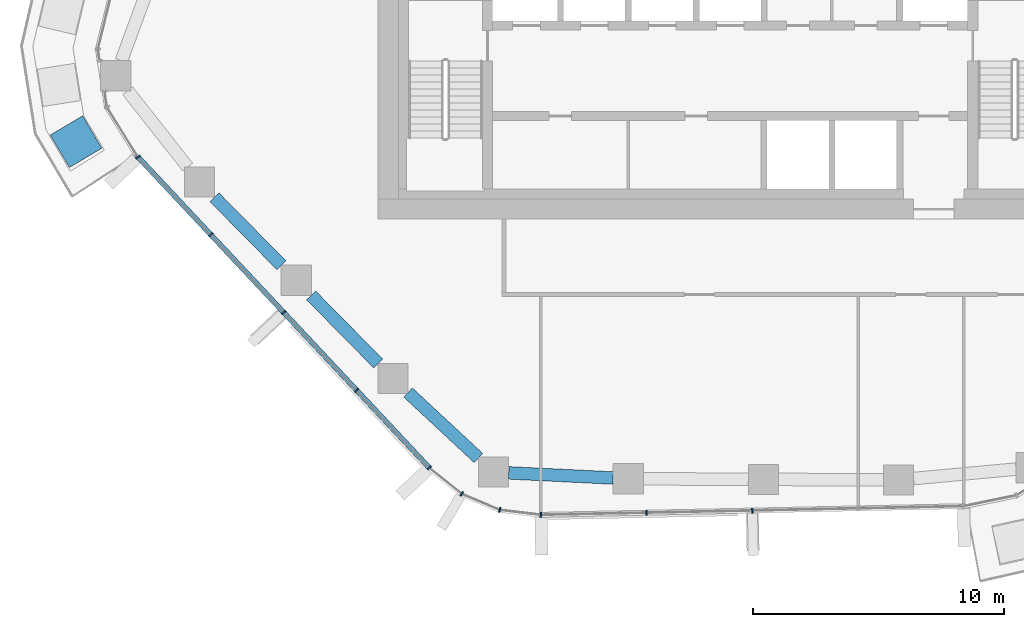
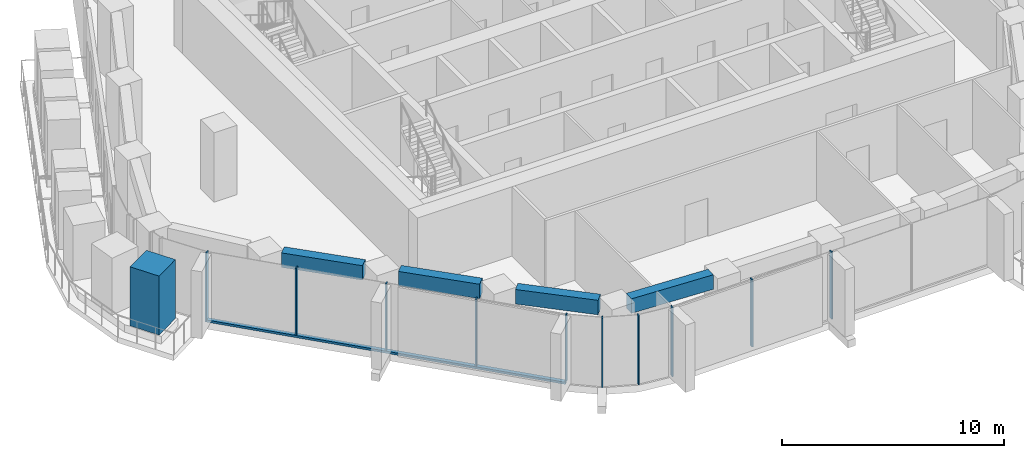
# One storey, part 2 of 18: 12 members, 4 beams, 4 elements without a shape of their own.
"""IFC4 building model written with IfcOpenShell, lengths in metres."""

import ifcopenshell
import ifcopenshell.guid

model = None  # the IFC model being written
_history = None  # IfcOwnerHistory: only IFC2X3 demands one
_inside = {}  # id of a spatial element -> (the spatial element, [elements in it])
_under = {}  # id of a project, library or spatial element -> (it, [spatial elements below it])
_declared = {}  # id of a project -> (the project, [libraries it declares])
_typed = {}  # id of a type object -> (the type object, [elements of that type])
_made_of = {}  # id of a material, layer set ... -> (it, [elements and type objects made of it])


def new_model(schema):
    """Start an empty IFC model of exactly this schema.

    Asked for "IFC4X3", IfcOpenShell would pick the latest addendum, in which some entities
    have other attributes; the version numbers below select the first issue.
    IFC2X3 requires an IfcOwnerHistory on every rooted entity: one is made here for all.
    """
    global model, _history
    if schema == "IFC4X3":
        model = ifcopenshell.file(schema_version=(4, 3, 0, 0))
    else:
        model = ifcopenshell.file(schema=schema)
    _inside.clear()
    _under.clear()
    _declared.clear()
    _typed.clear()
    _made_of.clear()
    _history = None
    if model.schema == "IFC2X3":
        org = make("IfcOrganization", Name="unknown")
        user = make(
            "IfcPersonAndOrganization",
            ThePerson=make("IfcPerson", FamilyName="unknown"),
            TheOrganization=org,
        )
        app = make(
            "IfcApplication",
            ApplicationDeveloper=org,
            Version="unknown",
            ApplicationFullName="unknown",
            ApplicationIdentifier="unknown",
        )
        _history = make(
            "IfcOwnerHistory",
            OwningUser=user,
            OwningApplication=app,
            ChangeAction="ADDED",
            CreationDate=0,
        )
    return model


def make(cls, **values):
    """One entity of the class cls with the attributes given. An attribute that is None is left unset."""
    return model.create_entity(
        cls, **{name: value for name, value in values.items() if value is not None}
    )


def rooted(cls, **values):
    """An entity with a GlobalId (a new one), such as an element, a storey or a relation."""
    return make(cls, GlobalId=ifcopenshell.guid.new(), OwnerHistory=_history, **values)


def si_unit(unit_type, name, prefix=None):
    """IfcSIUnit, for example si_unit("LENGTHUNIT", "METRE", prefix="MILLI")."""
    return make("IfcSIUnit", UnitType=unit_type, Prefix=prefix, Name=name)


def assignment(units):
    """IfcUnitAssignment: the units of a project."""
    return None if units is None else make("IfcUnitAssignment", Units=units)


def point(xyz):
    """IfcCartesianPoint."""
    return None if xyz is None else make("IfcCartesianPoint", Coordinates=xyz)


def direction(xyz):
    """IfcDirection."""
    return None if xyz is None else make("IfcDirection", DirectionRatios=xyz)


def frame(location, z_axis=None, x_axis=None):
    """IfcAxis2Placement3D, a coordinate frame: its origin and axes. An axis left out is left unset."""
    return make(
        "IfcAxis2Placement3D",
        Location=point(location),
        Axis=direction(z_axis),
        RefDirection=direction(x_axis),
    )


def frame_2d(location, x_axis=None):
    """IfcAxis2Placement2D, a coordinate frame in the plane: its origin and x axis."""
    return make(
        "IfcAxis2Placement2D", Location=point(location), RefDirection=direction(x_axis)
    )


def origin():
    """The frame at (0, 0, 0) with its axes left unset."""
    return frame((0.0, 0.0, 0.0))


def origin_2d():
    """The frame at (0, 0) in the plane with its x axis left unset."""
    return frame_2d((0.0, 0.0))


def place(relative_to, where):
    """IfcLocalPlacement: puts the frame where relative to a parent placement (None: the world)."""
    return make(
        "IfcLocalPlacement", PlacementRelTo=relative_to, RelativePlacement=where
    )


def context(
    kind, dimensions, precision=None, world=None, true_north=None, identifier=None
):
    """IfcGeometricRepresentationContext, for example the 3D "Model" context."""
    return make(
        "IfcGeometricRepresentationContext",
        ContextIdentifier=identifier,
        ContextType=kind,
        CoordinateSpaceDimension=dimensions,
        Precision=precision,
        WorldCoordinateSystem=world,
        TrueNorth=true_north,
    )


def subcontext(parent, identifier, kind, view, scale=None):
    """IfcGeometricRepresentationSubContext, for example "Body" below "Model"."""
    return make(
        "IfcGeometricRepresentationSubContext",
        ContextIdentifier=identifier,
        ContextType=kind,
        ParentContext=parent,
        TargetScale=scale,
        TargetView=view,
    )


def project(units=None, contexts=None):
    """IfcProject with its units and contexts."""
    return rooted(
        "IfcProject",
        Name="project",
        RepresentationContexts=contexts,
        UnitsInContext=assignment(units),
    )


def spatial(cls, under=None, at=None, **own):
    """A site, building, storey or space (cls), placed at a placement, below another one or the project."""
    s = rooted(cls, ObjectPlacement=at, **own)
    if under is not None:
        _under.setdefault(under.id(), (under, []))[1].append(s)
    return s


def profile(cls, at=None, kind="AREA", **sizes):
    """A parametric profile (cls). Its sizes go by their IFC names, for example OverallWidth=200.0."""
    return make(cls, ProfileType=kind, Position=at, **sizes)


def rectangle(**sizes):
    """IfcRectangleProfileDef."""
    return profile("IfcRectangleProfileDef", **sizes)


def extrude(swept, where, along, depth):
    """IfcExtrudedAreaSolid: the profile swept, set in the frame where, extruded along a direction by depth."""
    return make(
        "IfcExtrudedAreaSolid",
        SweptArea=swept,
        Position=where,
        ExtrudedDirection=direction(along),
        Depth=depth,
    )


def shape(context_of_items, identifier, shape_type, items):
    """IfcShapeRepresentation: the items that make up one representation, for example the "Body"."""
    return make(
        "IfcShapeRepresentation",
        ContextOfItems=context_of_items,
        RepresentationIdentifier=identifier,
        RepresentationType=shape_type,
        Items=items,
    )


def material(Name=None, Category=None):
    """IfcMaterial."""
    return make("IfcMaterial", Name=Name, Category=Category)


def layer(
    of_material, thickness, ventilated=None, Name=None, Category=None, Priority=None
):
    """IfcMaterialLayer: one layer of a wall or slab, of a material (None: an air gap)."""
    return make(
        "IfcMaterialLayer",
        Material=of_material,
        LayerThickness=thickness,
        IsVentilated=ventilated,
        Name=Name,
        Category=Category,
        Priority=Priority,
    )


def layer_set(layers, Name=None):
    """IfcMaterialLayerSet."""
    return make("IfcMaterialLayerSet", MaterialLayers=layers, LayerSetName=Name)


def material_profile(
    of_material, cross_section, Name=None, Category=None, Priority=None
):
    """IfcMaterialProfile: a cross section and its material."""
    return make(
        "IfcMaterialProfile",
        Name=Name,
        Material=of_material,
        Profile=cross_section,
        Priority=Priority,
        Category=Category,
    )


def profile_set(profiles, Name=None, composite=None):
    """IfcMaterialProfileSet."""
    return make(
        "IfcMaterialProfileSet",
        Name=Name,
        MaterialProfiles=profiles,
        CompositeProfile=composite,
    )


def made_of(thing, what):
    """Note that an element or type object is made of a material, layer set ...; save() writes the relation."""
    if what is not None:
        _made_of.setdefault(what.id(), (what, []))[1].append(thing)
    return thing


def type_object(cls, material=None, **own):
    """A type object (cls), such as IfcWallType, which elements share."""
    return made_of(rooted(cls, **own), material)


def element(
    cls,
    number,
    at=None,
    inside=None,
    cuts=None,
    type_object=None,
    material=None,
    context=None,
    identifier="Body",
    shape_type=None,
    held_by="IfcProductDefinitionShape",
    body=None,
    shapes=None,
    **own,
):
    """One element of the class cls, such as IfcWall. Its Tag is "e" and its number.

    at: its placement. inside: the storey or other place that contains it. cuts: it is an
    opening in that element (IfcRelVoidsElement). A single representation is given by context,
    identifier, shape_type and body (its items); several are given by shapes. held_by: the class
    of the entity that holds the representations. save() writes the other relations.
    """
    e = rooted(cls, Tag="e%d" % number, ObjectPlacement=at, **own)
    if body is not None:
        shapes = [shape(context, identifier, shape_type, body)]
    if shapes is not None:
        e.Representation = make(held_by, Representations=shapes)
    if inside is not None:
        _inside.setdefault(inside.id(), (inside, []))[1].append(e)
    if cuts is not None:
        rooted(
            "IfcRelVoidsElement", RelatingBuildingElement=cuts, RelatedOpeningElement=e
        )
    if type_object is not None:
        _typed.setdefault(type_object.id(), (type_object, []))[1].append(e)
    return made_of(e, material)


def aggregate(whole, parts):
    """IfcRelAggregates: a whole, such as a stair, and the parts it consists of."""
    return rooted("IfcRelAggregates", RelatingObject=whole, RelatedObjects=parts)


def save(model, path):
    """Write the relations noted so far, then the file.

    IfcRelAggregates (storeys below a building ...), IfcRelContainedInSpatialStructure (elements
    in a storey), IfcRelDefinesByType, IfcRelAssociatesMaterial and IfcRelDeclares: one each for
    every whole, place, type object, material and project.
    """
    for whole, parts in _under.values():
        aggregate(whole, parts)
    for where, things in _inside.values():
        rooted(
            "IfcRelContainedInSpatialStructure",
            RelatedElements=things,
            RelatingStructure=where,
        )
    for kind, things in _typed.values():
        rooted("IfcRelDefinesByType", RelatedObjects=things, RelatingType=kind)
    for what, things in _made_of.values():
        rooted("IfcRelAssociatesMaterial", RelatedObjects=things, RelatingMaterial=what)
    for by, libraries in _declared.values():
        rooted("IfcRelDeclares", RelatingContext=by, RelatedDefinitions=libraries)
    model.write(path)


model = new_model("IFC4")

# Units and contexts
model_context = context("Model", 3, precision=1e-05, world=origin(), true_north=direction((0.0, 1.0)))
body_context = subcontext(model_context, "Body", "Model", "MODEL_VIEW")
ifc_project = project(units=[si_unit("LENGTHUNIT", "METRE"), si_unit("AREAUNIT", "SQUARE_METRE"), si_unit("VOLUMEUNIT", "CUBIC_METRE"), si_unit("PLANEANGLEUNIT", "RADIAN"), si_unit("MASSUNIT", "GRAM", prefix="KILO")], contexts=[model_context])

# Site, building, storey
site_placement = place(None, origin())
site = spatial("IfcSite", under=ifc_project, at=site_placement, CompositionType="ELEMENT")
building_placement = place(site_placement, origin())
building = spatial("IfcBuilding", under=site, at=building_placement, Name="Dongbaek Canopy Tower", CompositionType="ELEMENT")
storey_placement = place(building_placement, frame((0.0, 0.0, 162.800048828125)))
storey = spatial("IfcBuildingStorey", under=building, at=storey_placement, Name="L35", CompositionType="ELEMENT", Elevation=162.800048828125)

# Curtain wall, member
ifc_material_1 = material(Name="Aluminium 6063-T6 pale anodised", Category="aluminium")
ifc_layer = layer(ifc_material_1, 0.199951171875)
ifc_layer_set = layer_set([ifc_layer], Name="CW-1 unitised tower curtain wall")
curtain_wall_type = type_object("IfcCurtainWallType", Name="CW-1 unitised tower curtain wall", PredefinedType="NOTDEFINED", material=ifc_layer_set)
curtain_wall_1_placement = place(storey_placement, origin())
curtain_wall_1 = element("IfcCurtainWall", 1, at=curtain_wall_1_placement, inside=storey, type_object=curtain_wall_type, Name="CW-1 curtain wall K3.1b", PredefinedType="NOTDEFINED")
ifc_material_2 = material(Name="Aluminium 6063-T6 pale anodised", Category="aluminium")
ifc_material_profile_1 = material_profile(ifc_material_2, rectangle(XDim=0.199951171875, YDim=0.06005859375, at=origin_2d()), Name="CW-1 mullion 60 x 200")
ifc_profile_set_1 = profile_set([ifc_material_profile_1], Name="Aluminium 6063-T6 pale anodised")
member_type_1 = type_object("IfcMemberType", Name="CW-1 mullion 60 x 200", PredefinedType="MULLION", material=ifc_profile_set_1)
member_1_placement = place(storey_placement, frame((-23.55322265625, -8.528076171875, 0.0), z_axis=(0.0, 0.0, 1.0), x_axis=(-0.850370444483, -0.526184480148, 0.0)))
member_1 = element("IfcMember", 2, at=member_1_placement, type_object=member_type_1, Name="CW-1 mullion K3.1b.3", PredefinedType="MULLION", context=body_context, shape_type="SweptSolid", body=[
    extrude(rectangle(XDim=0.199951171875, YDim=0.06005859375, at=origin_2d()), origin(), (0.0, 0.0, 1.0), 3.820068359375),
])
aggregate(curtain_wall_1, [member_1])

# Curtain wall, members
curtain_wall_2_placement = place(storey_placement, origin())
curtain_wall_2 = element("IfcCurtainWall", 3, at=curtain_wall_2_placement, inside=storey, type_object=curtain_wall_type, Name="CW-1 curtain wall F3.1", PredefinedType="NOTDEFINED")
member_2_placement = place(storey_placement, frame((-20.65966796875, -11.615478515625, 0.119873046875), z_axis=(0.0, 0.0, 1.0), x_axis=(-0.729648859062, -0.683822010811, 0.0)))
member_2 = element("IfcMember", 4, at=member_2_placement, type_object=member_type_1, Name="CW-1 mullion F3.1.2", PredefinedType="MULLION", context=body_context, shape_type="SweptSolid", body=[
    extrude(rectangle(XDim=0.199951171875, YDim=0.06005859375, at=origin_2d()), origin(), (0.0, 0.0, 1.0), 3.7001953125),
])
member_3_placement = place(storey_placement, frame((-17.759521484375, -14.7099609375, 0.119873046875), z_axis=(0.0, 0.0, 1.0), x_axis=(-0.729648859062, -0.683822010811, 0.0)))
member_3 = element("IfcMember", 5, at=member_3_placement, type_object=member_type_1, Name="CW-1 mullion F3.1.3", PredefinedType="MULLION", context=body_context, shape_type="SweptSolid", body=[
    extrude(rectangle(XDim=0.199951171875, YDim=0.06005859375, at=origin_2d()), origin(), (0.0, 0.0, 1.0), 3.7001953125),
])
member_4_placement = place(storey_placement, frame((-14.859375, -17.8046875, 0.119873046875), z_axis=(0.0, 0.0, 1.0), x_axis=(-0.729648859062, -0.683822010811, 0.0)))
member_4 = element("IfcMember", 6, at=member_4_placement, type_object=member_type_1, Name="CW-1 mullion F3.1.4", PredefinedType="MULLION", context=body_context, shape_type="SweptSolid", body=[
    extrude(rectangle(XDim=0.199951171875, YDim=0.06005859375, at=origin_2d()), origin(), (0.0, 0.0, 1.0), 3.7001953125),
])
member_5_placement = place(storey_placement, frame((-11.9638671875, -20.89404296875, 0.119873046875), z_axis=(0.0, 0.0, 1.0), x_axis=(-0.729648859062, -0.683822010811, 0.0)))
member_5 = element("IfcMember", 7, at=member_5_placement, type_object=member_type_1, Name="CW-1 mullion F3.1.5", PredefinedType="MULLION", context=body_context, shape_type="SweptSolid", body=[
    extrude(rectangle(XDim=0.199951171875, YDim=0.06005859375, at=origin_2d()), origin(), (0.0, 0.0, 1.0), 3.7001953125),
])

curtain_wall_3_placement = place(storey_placement, origin())
curtain_wall_3 = element("IfcCurtainWall", 8, at=curtain_wall_3_placement, inside=storey, type_object=curtain_wall_type, Name="CW-1 curtain wall K4.1", PredefinedType="NOTDEFINED")
member_6_placement = place(storey_placement, frame((-10.6787109375, -21.92919921875, 0.0), z_axis=(0.0, 0.0, 1.0), x_axis=(-0.512734516055, -0.858547212473, 0.0)))
member_6 = element("IfcMember", 9, at=member_6_placement, type_object=member_type_1, Name="CW-1 mullion K4.1.2", PredefinedType="MULLION", context=body_context, shape_type="SweptSolid", body=[
    extrude(rectangle(XDim=0.199951171875, YDim=0.06005859375, at=origin_2d()), origin(), (0.0, 0.0, 1.0), 3.820068359375),
])
member_7_placement = place(storey_placement, frame((-9.16455078125, -22.567138671875, 0.0), z_axis=(0.0, 0.0, 1.0), x_axis=(-0.256041855885, -0.96666569611, 0.0)))
member_7 = element("IfcMember", 10, at=member_7_placement, type_object=member_type_1, Name="CW-1 mullion K4.1.3", PredefinedType="MULLION", context=body_context, shape_type="SweptSolid", body=[
    extrude(rectangle(XDim=0.199951171875, YDim=0.06005859375, at=origin_2d()), origin(), (0.0, 0.0, 1.0), 3.820068359375),
])
member_8_placement = place(storey_placement, frame((-7.526123046875, -22.763427734375, 0.0), z_axis=(0.0, 0.0, 1.0), x_axis=(-0.11892247734, -0.992903542336, 0.0)))
member_8 = element("IfcMember", 11, at=member_8_placement, type_object=member_type_1, Name="CW-1 mullion K4.1.4", PredefinedType="MULLION", context=body_context, shape_type="SweptSolid", body=[
    extrude(rectangle(XDim=0.199951171875, YDim=0.06005859375, at=origin_2d()), origin(), (0.0, 0.0, 1.0), 3.820068359375),
])
aggregate(curtain_wall_3, [member_6, member_7, member_8])

curtain_wall_4_placement = place(storey_placement, origin())
curtain_wall_4 = element("IfcCurtainWall", 12, at=curtain_wall_4_placement, inside=storey, type_object=curtain_wall_type, Name="CW-1 curtain wall F4.1", PredefinedType="NOTDEFINED")
member_9_placement = place(storey_placement, frame((-3.326416015625, -22.67724609375, 0.119873046875), z_axis=(0.0, 0.0, 1.0), x_axis=(0.020514717954, -0.999789551029, 0.0)))
member_9 = element("IfcMember", 13, at=member_9_placement, type_object=member_type_1, Name="CW-1 mullion F4.1.2", PredefinedType="MULLION", context=body_context, shape_type="SweptSolid", body=[
    extrude(rectangle(XDim=0.199951171875, YDim=0.06005859375, at=origin_2d()), origin(), (0.0, 0.0, 1.0), 3.7001953125),
])
member_10_placement = place(storey_placement, frame((0.880126953125, -22.5908203125, 0.119873046875), z_axis=(0.0, 0.0, 1.0), x_axis=(0.020514717954, -0.999789551029, 0.0)))
member_10 = element("IfcMember", 14, at=member_10_placement, type_object=member_type_1, Name="CW-1 mullion F4.1.3", PredefinedType="MULLION", context=body_context, shape_type="SweptSolid", body=[
    extrude(rectangle(XDim=0.199951171875, YDim=0.06005859375, at=origin_2d()), origin(), (0.0, 0.0, 1.0), 3.7001953125),
])
aggregate(curtain_wall_4, [member_9, member_10])

# Member
ifc_material_3 = material(Name="Aluminium 6063-T6 pale anodised", Category="aluminium")
ifc_material_profile_2 = material_profile(ifc_material_3, rectangle(XDim=0.199951171875, YDim=0.1201171875, at=origin_2d()), Name="CW-1 transom 120 x 200")
ifc_profile_set_2 = profile_set([ifc_material_profile_2], Name="Aluminium 6063-T6 pale anodised")
member_type_2 = type_object("IfcMemberType", Name="CW-1 transom 120 x 200", PredefinedType="USERDEFINED", material=ifc_profile_set_2)
member_11_placement = place(storey_placement, frame((-23.55322265625, -8.528076171875, 0.06005859375), z_axis=(0.683823720614, -0.729647256642, 0.0), x_axis=(0.729647256642, 0.683823720614, 0.0)))
member_11 = element("IfcMember", 15, at=member_11_placement, type_object=member_type_2, Name="CW-1 transom F3.1.1", ObjectType="TRANSOM", PredefinedType="USERDEFINED", context=body_context, shape_type="SweptSolid", body=[
    extrude(rectangle(XDim=0.199951171875, YDim=0.1201171875, at=origin_2d()), origin(), (0.0, 0.0, 1.0), 16.94775390625),
])

aggregate(curtain_wall_2, [member_2, member_3, member_4, member_5, member_11])

# Beams
ifc_material_4 = material(Name="Concrete C70", Category="concrete")
ifc_material_profile_3 = material_profile(ifc_material_4, rectangle(XDim=0.5, YDim=0.800048828125, at=origin_2d()), Name="RC EDGE BEAM 500x800 C70")
ifc_profile_set_3 = profile_set([ifc_material_profile_3], Name="Concrete C70")
beam_type = type_object("IfcBeamType", Name="RC EDGE BEAM 500x800 C70", PredefinedType="BEAM", material=ifc_profile_set_3)
beam_1_placement = place(storey_placement, frame((-4.655029296875, -21.29443359375, 3.419921875), z_axis=(-0.998797460552, 0.04902685789, 0.0), x_axis=(-0.04902685789, -0.998797460552, 0.0)))
element("IfcBeam", 16, at=beam_1_placement, inside=storey, type_object=beam_type, Name="EDGEBEAM:L35:03", PredefinedType="BEAM", context=body_context, shape_type="SweptSolid", body=[
    extrude(rectangle(XDim=0.5, YDim=0.800048828125, at=origin_2d()), origin(), (0.0, 0.0, 1.0), 4.157958984375),
])
beam_2_placement = place(storey_placement, frame((-10.008056640625, -20.5029296875, 3.419921875), z_axis=(-0.732259249265, 0.681025984722, 0.0), x_axis=(-0.681025984722, -0.732259249265, 0.0)))
element("IfcBeam", 17, at=beam_2_placement, inside=storey, type_object=beam_type, Name="EDGEBEAM:L35:04", PredefinedType="BEAM", context=body_context, shape_type="SweptSolid", body=[
    extrude(rectangle(XDim=0.5, YDim=0.800048828125, at=origin_2d()), origin(), (0.0, 0.0, 1.0), 3.826416015625),
])
beam_3_placement = place(storey_placement, frame((-14.0009765625, -16.739013671875, 3.419921875), z_axis=(-0.701688575516, 0.71248378437, 0.0), x_axis=(-0.71248378437, -0.701688575516, 0.0)))
element("IfcBeam", 18, at=beam_3_placement, inside=storey, type_object=beam_type, Name="EDGEBEAM:L35:05", PredefinedType="BEAM", context=body_context, shape_type="SweptSolid", body=[
    extrude(rectangle(XDim=0.5, YDim=0.800048828125, at=origin_2d()), origin(), (0.0, 0.0, 1.0), 3.79931640625),
])
beam_4_placement = place(storey_placement, frame((-17.848876953125, -12.83203125, 3.419921875), z_axis=(-0.701721192392, 0.712451660218, 0.0), x_axis=(-0.712451660218, -0.701721192392, 0.0)))
element("IfcBeam", 19, at=beam_4_placement, inside=storey, type_object=beam_type, Name="EDGEBEAM:L35:06", PredefinedType="BEAM", context=body_context, shape_type="SweptSolid", body=[
    extrude(rectangle(XDim=0.5, YDim=0.800048828125, at=origin_2d()), origin(), (0.0, 0.0, 1.0), 3.799560546875),
])

# Member
ifc_material_5 = material(Name="Concrete C40/50 planter mass with planting", Category="concrete")
ifc_material_profile_4 = material_profile(ifc_material_5, rectangle(XDim=1.5, YDim=1.5, at=origin_2d()), Name="Terrace PLANTER shrub mass 1500 x 1500")
ifc_profile_set_4 = profile_set([ifc_material_profile_4], Name="Concrete C40/50 planter mass with planting")
member_type_3 = type_object("IfcMemberType", Name="Terrace PLANTER shrub mass 1500 x 1500", PredefinedType="USERDEFINED", material=ifc_profile_set_4)
member_12_placement = place(storey_placement, frame((-26.017578125, -7.915771484375, 0.419921875), z_axis=(0.0, 0.0, 1.0), x_axis=(-0.860204618571, -0.509949030972, 0.0)))
element("IfcMember", 20, at=member_12_placement, inside=storey, type_object=member_type_3, Name="Planter shrubs L35 3.5", ObjectType="PLANTER", PredefinedType="USERDEFINED", context=body_context, shape_type="SweptSolid", body=[
    extrude(rectangle(XDim=1.5, YDim=1.5, at=origin_2d()), origin(), (0.0, 0.0, 1.0), 3.25),
])

save(model, "model.ifc")
